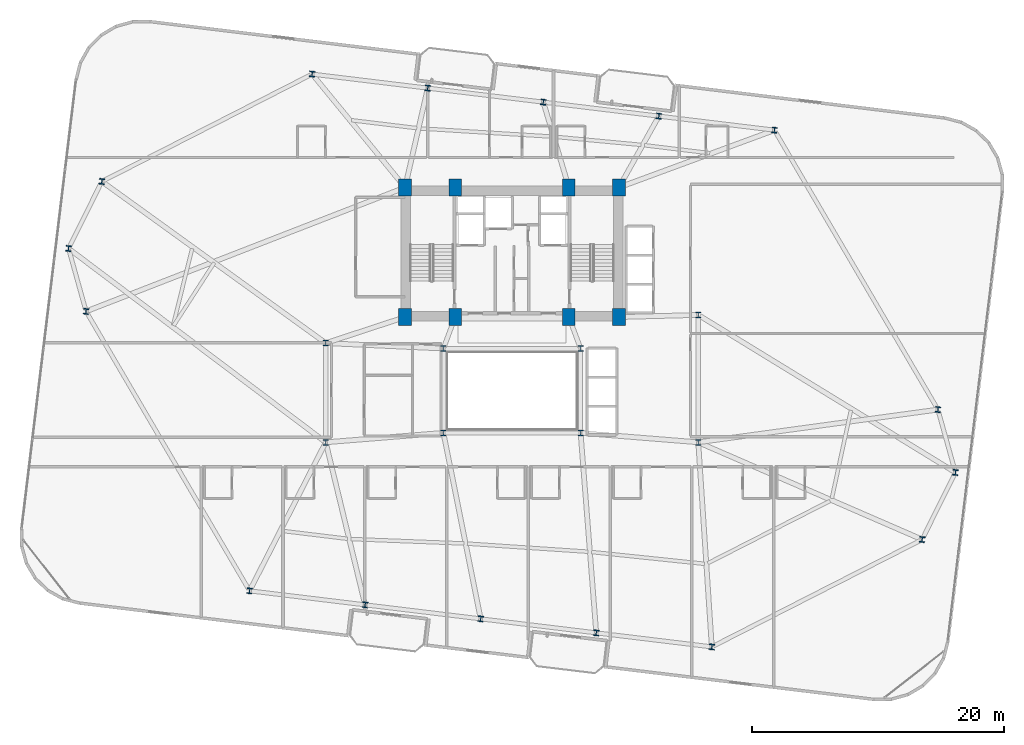
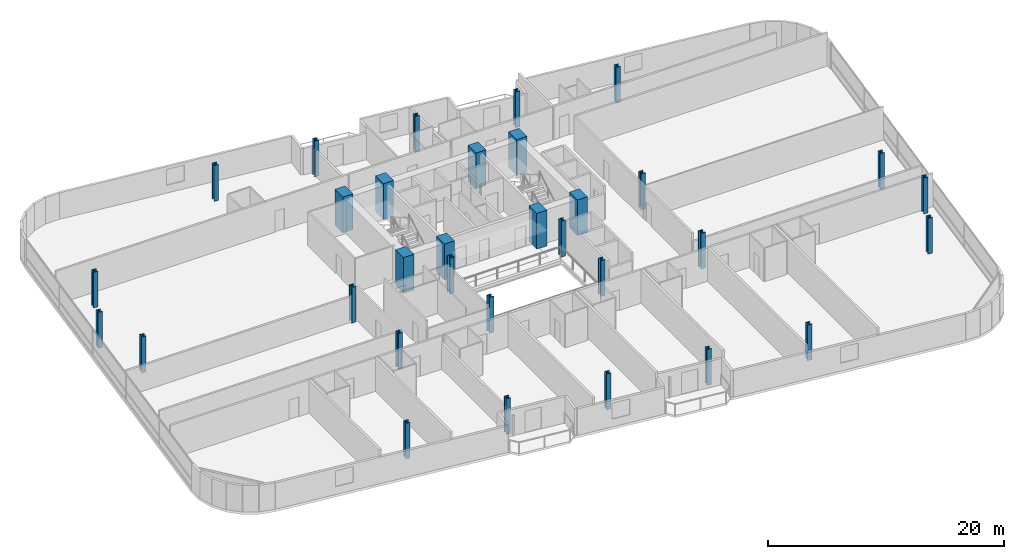
# One storey, part 1 of 26: 32 columns.
"""IFC4 building model written with IfcOpenShell, lengths in metres."""

from ifc_helpers import new_model, si_unit, direction, frame, origin, origin_2d, place, context, subcontext, project, spatial, rectangle, i_section, extrude, material, material_profile, profile_set, type_object, element, save


model = new_model("IFC4")

# Units and contexts
model_context = context("Model", 3, precision=1e-05, world=origin(), true_north=direction((0.0, 1.0)))
body_context = subcontext(model_context, "Body", "Model", "MODEL_VIEW")
ifc_project = project(units=[si_unit("LENGTHUNIT", "METRE"), si_unit("AREAUNIT", "SQUARE_METRE"), si_unit("VOLUMEUNIT", "CUBIC_METRE"), si_unit("PLANEANGLEUNIT", "RADIAN"), si_unit("MASSUNIT", "GRAM", prefix="KILO")], contexts=[model_context])

# Site, building, storey
site_placement = place(None, origin())
site = spatial("IfcSite", under=ifc_project, at=site_placement, CompositionType="ELEMENT")
building_placement = place(site_placement, origin())
building = spatial("IfcBuilding", under=site, at=building_placement, Name="Varnelok Gate Tower", CompositionType="ELEMENT")
storey_placement = place(building_placement, frame((0.0, 0.0, 121.699951171875)))
storey = spatial("IfcBuildingStorey", under=building, at=storey_placement, Name="L30", CompositionType="ELEMENT", Elevation=121.699951171875)

# Columns
ifc_material_1 = material(Name="Concrete C70/85", Category="concrete")
ifc_material_profile_1 = material_profile(ifc_material_1, rectangle(XDim=1.0, YDim=1.35009765625, at=origin_2d()), Name="RC1350X1000")
ifc_profile_set_1 = profile_set([ifc_material_profile_1], Name="Concrete C70/85")
column_type_1 = type_object("IfcColumnType", Name="COL-RC1350X1000", PredefinedType="COLUMN", material=ifc_profile_set_1)
for number, where, z_axis, x_axis, name in (
    (1, (30.699951171875, 28.75, 0.0), (0.0, 0.0, 1.0), (1.0, 0.0, 0.0), "L30 Core Spine Column SC1"),
    (2, (34.679931640625, 28.75, 0.0), (0.0, 0.0, 1.0), (1.0, 0.0, 0.0), "L30 Core Spine Column SC2"),
    (3, (43.719970703125, 28.75, 0.0), (0.0, 0.0, 1.0), (1.0, 0.0, 0.0), "L30 Core Spine Column SC3"),
    (4, (47.699951171875, 28.75, 0.0), (0.0, 0.0, 1.0), (1.0, 0.0, 0.0), "L30 Core Spine Column SC4"),
    (5, (30.699951171875, 39.050048828125, 0.0), (0.0, 0.0, 1.0), (1.0, 0.0, 0.0), "L30 Core Spine Column SC5"),
    (6, (34.679931640625, 39.050048828125, 0.0), (0.0, 0.0, 1.0), (1.0, 0.0, 0.0), "L30 Core Spine Column SC6"),
    (7, (43.719970703125, 39.050048828125, 0.0), (0.0, 0.0, 1.0), (1.0, 0.0, 0.0), "L30 Core Spine Column SC7"),
    (8, (47.699951171875, 39.050048828125, 0.0), (0.0, 0.0, 1.0), (1.0, 0.0, 0.0), "L30 Core Spine Column SC8"),
):
    element("IfcColumn", number, at=place(storey_placement, frame(where, z_axis=z_axis, x_axis=x_axis)), inside=storey, type_object=column_type_1, Name=name, PredefinedType="COLUMN", context=body_context, shape_type="SweptSolid", body=[
        extrude(rectangle(XDim=1.0, YDim=1.35009765625, at=origin_2d()), origin(), (0.0, 0.0, 1.0), 3.699951171875),
    ])
ifc_material_2 = material(Name="Structural Steel ASTM A992 Grade 50", Category="steel")
ifc_material_profile_2 = material_profile(ifc_material_2, i_section(OverallWidth=0.41796875, OverallDepth=0.455078125, WebThickness=0.0419921875, FlangeThickness=0.067626953125, FilletRadius=0.02490234375, at=origin_2d()), Name="W14X370")
ifc_profile_set_2 = profile_set([ifc_material_profile_2], Name="Structural Steel ASTM A992 Grade 50")
column_type_2 = type_object("IfcColumnType", Name="COL-W14X370", PredefinedType="COLUMN", material=ifc_profile_set_2)
for number, where, z_axis, x_axis, name in (
    (9, (18.345703125, 6.99658203125, 0.0), (0.0, 0.0, 1.0), (0.992732158755, -0.12034475881, 0.0), "L30 B3 Perimeter Column PC01"),
    (10, (27.528564453125, 5.883544921875, 0.0), (0.0, 0.0, 1.0), (0.992732158755, -0.12034475881, 0.0), "L30 B3 Perimeter Column PC02"),
    (11, (36.711181640625, 4.770263671875, 0.0), (0.0, 0.0, 1.0), (0.992732158755, -0.12034475881, 0.0), "L30 B3 Perimeter Column PC03"),
    (12, (45.89404296875, 3.656982421875, 0.0), (0.0, 0.0, 1.0), (0.992732158755, -0.12034475881, 0.0), "L30 B3 Perimeter Column PC04"),
    (13, (55.076904296875, 2.5439453125, 0.0), (0.0, 0.0, 1.0), (0.992732158755, -0.12034475881, 0.0), "L30 B3 Perimeter Column PC05"),
    (14, (71.79296875, 11.07421875, 0.0), (0.0, 0.0, 1.0), (0.992732158755, -0.12034475881, 0.0), "L30 B3 Perimeter Column PC06"),
    (15, (74.435546875, 16.40478515625, 0.0), (0.0, 0.0, 1.0), (0.992732158755, -0.12034475881, 0.0), "L30 B3 Perimeter Column PC07"),
    (16, (73.04443359375, 21.398681640625, 0.0), (0.0, 0.0, 1.0), (0.992732158755, -0.12034475881, 0.0), "L30 B3 Perimeter Column PC08"),
    (17, (60.05419921875, 43.603271484375, 0.0), (0.0, 0.0, 1.0), (0.992732158755, -0.12034475881, 0.0), "L30 B3 Perimeter Column PC09"),
    (18, (50.87158203125, 44.716552734375, 0.0), (0.0, 0.0, 1.0), (0.992732158755, -0.12034475881, 0.0), "L30 B3 Perimeter Column PC10"),
    (19, (41.688720703125, 45.82958984375, 0.0), (0.0, 0.0, 1.0), (0.992732158755, -0.12034475881, 0.0), "L30 B3 Perimeter Column PC11"),
    (20, (32.506103515625, 46.94287109375, 0.0), (0.0, 0.0, 1.0), (0.992732158755, -0.12034475881, 0.0), "L30 B3 Perimeter Column PC12"),
    (21, (23.3232421875, 48.05615234375, 0.0), (0.0, 0.0, 1.0), (0.992732158755, -0.12034475881, 0.0), "L30 B3 Perimeter Column PC13"),
    (22, (6.607177734375, 39.52587890625, 0.0), (0.0, 0.0, 1.0), (0.992732158755, -0.12034475881, 0.0), "L30 B3 Perimeter Column PC14"),
    (23, (3.96435546875, 34.195068359375, 0.0), (0.0, 0.0, 1.0), (0.992732158755, -0.12034475881, 0.0), "L30 B3 Perimeter Column PC15"),
    (24, (5.35546875, 29.201416015625, 0.0), (0.0, 0.0, 1.0), (0.992732158755, -0.12034475881, 0.0), "L30 B3 Perimeter Column PC16"),
):
    element("IfcColumn", number, at=place(storey_placement, frame(where, z_axis=z_axis, x_axis=x_axis)), inside=storey, type_object=column_type_2, Name=name, PredefinedType="COLUMN", context=body_context, shape_type="SweptSolid", body=[
        extrude(i_section(OverallWidth=0.41796875, OverallDepth=0.455078125, WebThickness=0.0419921875, FlangeThickness=0.067626953125, FilletRadius=0.02490234375, at=origin_2d()), origin(), (0.0, 0.0, 1.0), 3.699951171875),
    ])
ifc_material_profile_3 = material_profile(ifc_material_2, i_section(OverallWidth=0.424072265625, OverallDepth=0.47412109375, WebThickness=0.047607421875, FlangeThickness=0.0771484375, FilletRadius=0.02490234375, at=origin_2d()), Name="W14X426")
ifc_profile_set_3 = profile_set([ifc_material_profile_3], Name="Structural Steel ASTM A992 Grade 50")
column_type_3 = type_object("IfcColumnType", Name="COL-W14X426", PredefinedType="COLUMN", material=ifc_profile_set_3)
for number, where, z_axis, x_axis, name in (
    (25, (33.75, 19.550048828125, 0.0), (0.0, 0.0, 1.0), (1.0, 0.0, 0.0), "L30 Atrium Spine Column AC1"),
    (26, (44.64990234375, 19.550048828125, 0.0), (0.0, 0.0, 1.0), (1.0, 0.0, 0.0), "L30 Atrium Spine Column AC2"),
    (27, (33.75, 26.25, 0.0), (0.0, 0.0, 1.0), (1.0, 0.0, 0.0), "L30 Atrium Spine Column AC3"),
    (28, (44.64990234375, 26.25, 0.0), (0.0, 0.0, 1.0), (1.0, 0.0, 0.0), "L30 Atrium Spine Column AC4"),
    (29, (24.39990234375, 18.800048828125, 0.0), (0.0, 0.0, 1.0), (1.0, 0.0, 0.0), "L30 Wing Spine Column WS1"),
    (30, (24.39990234375, 26.679931640625, 0.0), (0.0, 0.0, 1.0), (1.0, 0.0, 0.0), "L30 Wing Spine Column WS2"),
    (31, (54.0, 18.800048828125, 0.0), (0.0, 0.0, 1.0), (1.0, 0.0, 0.0), "L30 Wing Spine Column ES1"),
    (32, (54.0, 28.919921875, 0.0), (0.0, 0.0, 1.0), (1.0, 0.0, 0.0), "L30 Wing Spine Column ES2"),
):
    element("IfcColumn", number, at=place(storey_placement, frame(where, z_axis=z_axis, x_axis=x_axis)), inside=storey, type_object=column_type_3, Name=name, PredefinedType="COLUMN", context=body_context, shape_type="SweptSolid", body=[
        extrude(i_section(OverallWidth=0.424072265625, OverallDepth=0.47412109375, WebThickness=0.047607421875, FlangeThickness=0.0771484375, FilletRadius=0.02490234375, at=origin_2d()), origin(), (0.0, 0.0, 1.0), 3.699951171875),
    ])

save(model, "model.ifc")
